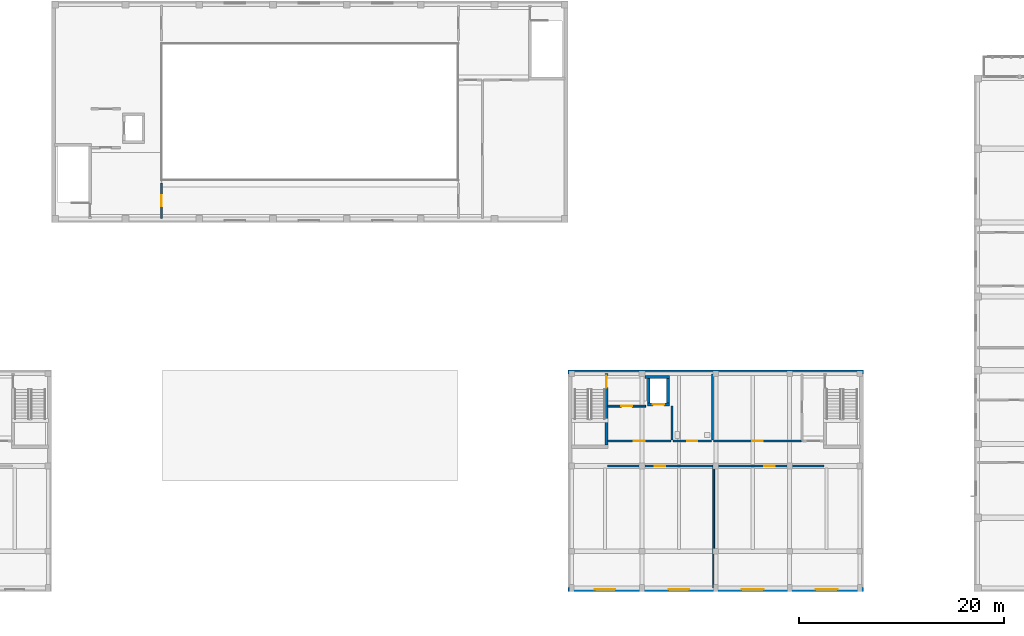
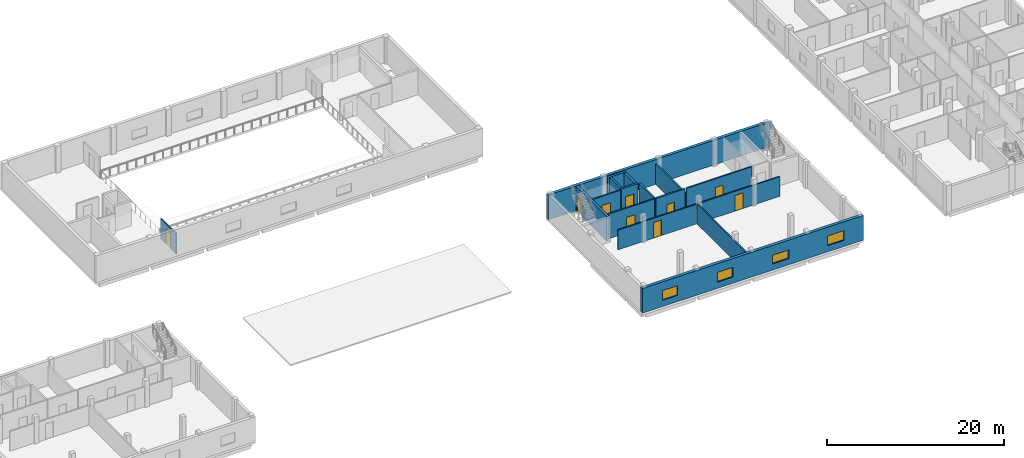
# One storey, part 39 of 73: 17 walls, 9 doors, 4 windows, 13 openings.
"""IFC4 building model written with IfcOpenShell, lengths in metres."""

from ifc_helpers import new_model, si_unit, derived_unit, direction, frame, frame_2d, origin, place, context, subcontext, project, spatial, rectangle, extrude, material, layer, layer_set, type_object, element, fill, save


model = new_model("IFC4")

# Units and contexts
model_context = context("Model", 3, precision=1e-05, world=origin(), true_north=direction((0.0, 1.0)))
body_context = subcontext(model_context, "Body", "Model", "MODEL_VIEW")
ifc_project = project(units=[si_unit("LENGTHUNIT", "METRE"), si_unit("AREAUNIT", "SQUARE_METRE"), si_unit("VOLUMEUNIT", "CUBIC_METRE"), si_unit("PLANEANGLEUNIT", "RADIAN"), si_unit("MASSUNIT", "GRAM", prefix="KILO"), derived_unit("THERMALTRANSMITTANCEUNIT", [(si_unit("MASSUNIT", "GRAM", prefix="KILO"), 1), (si_unit("TIMEUNIT", "SECOND"), -3), (si_unit("THERMODYNAMICTEMPERATUREUNIT", "KELVIN"), -1)])], contexts=[model_context])

# Site, building, storey
site_placement = place(None, origin())
site = spatial("IfcSite", under=ifc_project, at=site_placement, CompositionType="ELEMENT")
building_placement = place(site_placement, origin())
building = spatial("IfcBuilding", under=site, at=building_placement, Name="Ochrekiln Boulevard Commons", CompositionType="ELEMENT")
storey_placement = place(building_placement, frame((0.0, 0.0, 4.89990234375)))
storey = spatial("IfcBuildingStorey", under=building, at=storey_placement, Name="L01", CompositionType="ELEMENT", Elevation=4.89990234375)

# Wall, openings, windows
ifc_material_1 = material(Name="Desert ochre clinker brick masonry ASTM C216 Grade SW", Category="masonry")
ifc_layer_1 = layer(ifc_material_1, 0.3798828125)
ifc_layer_set_1 = layer_set([ifc_layer_1], Name="Desert ochre clinker brick masonry ASTM C216 Grade SW")
wall_type_1 = type_object("IfcWallType", Name="WL-EXT-ARC-380", PredefinedType="SOLIDWALL", material=ifc_layer_set_1)
wall_1_placement = place(storey_placement, frame((108.0, 0.18994140625, 0.0), z_axis=(0.0, 0.0, 1.0), x_axis=(1.0, 0.0, 0.0)))
wall_1 = element("IfcWall", 1, at=wall_1_placement, inside=storey, type_object=wall_type_1, Name="East Boulevard Arcade L01 S Exterior Wall", PredefinedType="SOLIDWALL", context=body_context, shape_type="SweptSolid", body=[
    extrude(rectangle(XDim=28.800048828125, YDim=0.3798828125, at=frame_2d((14.39990234375, 0.0))), origin(), (0.0, 0.0, 1.0), 3.400146484375),
])
opening_1_placement = place(wall_1_placement, frame((2.60009765625, 0.0, 0.85009765625)))
opening_1 = element("IfcOpeningElement", 2, at=opening_1_placement, cuts=wall_1, Name="Opening W-47", PredefinedType="OPENING", context=body_context, shape_type="SweptSolid", body=[
    extrude(rectangle(XDim=2.0, YDim=1.35009765625, at=frame_2d((1.0, 0.675048828125))), frame((0.0, 0.199951171875, 0.0), z_axis=(0.0, -1.0, 0.0), x_axis=(1.0, 0.0, 0.0)), (0.0, 0.0, 1.0), 0.39990234375),
])
opening_2_placement = place(wall_1_placement, frame((9.800048828125, 0.0, 0.85009765625)))
opening_2 = element("IfcOpeningElement", 3, at=opening_2_placement, cuts=wall_1, Name="Opening W-47", PredefinedType="OPENING", context=body_context, shape_type="SweptSolid", body=[
    extrude(rectangle(XDim=2.0, YDim=1.35009765625, at=frame_2d((1.0, 0.675048828125))), frame((0.0, 0.199951171875, 0.0), z_axis=(0.0, -1.0, 0.0), x_axis=(1.0, 0.0, 0.0)), (0.0, 0.0, 1.0), 0.39990234375),
])
opening_3_placement = place(wall_1_placement, frame((16.925048828125, 0.0, 0.85009765625)))
opening_3 = element("IfcOpeningElement", 4, at=opening_3_placement, cuts=wall_1, Name="Opening W-51", PredefinedType="OPENING", context=body_context, shape_type="SweptSolid", body=[
    extrude(rectangle(XDim=2.14990234375, YDim=1.199951171875, at=frame_2d((1.074951171875, 0.60009765625))), frame((0.0, 0.199951171875, 0.0), z_axis=(0.0, -1.0, 0.0), x_axis=(1.0, 0.0, 0.0)), (0.0, 0.0, 1.0), 0.39990234375),
])
opening_4_placement = place(wall_1_placement, frame((24.125, 0.0, 0.85009765625)))
opening_4 = element("IfcOpeningElement", 5, at=opening_4_placement, cuts=wall_1, Name="Opening W-52", PredefinedType="OPENING", context=body_context, shape_type="SweptSolid", body=[
    extrude(rectangle(XDim=2.14990234375, YDim=1.35009765625, at=frame_2d((1.074951171875, 0.675048828125))), frame((0.0, 0.199951171875, 0.0), z_axis=(0.0, -1.0, 0.0), x_axis=(1.0, 0.0, 0.0)), (0.0, 0.0, 1.0), 0.39990234375),
])
ifc_material_2 = material(Name="Thermally broken aluminium-clad oak frame", Category="aluminium")
window_type_1 = type_object("IfcWindowType", Name="WIN-EXT-47", PartitioningType="DOUBLE_PANEL_VERTICAL", PredefinedType="WINDOW", material=ifc_material_2)
window_1_placement = place(opening_1_placement, origin())
window_1 = element("IfcWindow", 6, at=window_1_placement, inside=storey, type_object=window_type_1, Name="East Boulevard Arcade L01 Boulevard Ribbon Window 1", OverallHeight=1.35009765625, OverallWidth=2.0, PartitioningType="DOUBLE_PANEL_VERTICAL", PredefinedType="WINDOW", context=body_context, shape_type="SweptSolid", body=[
    extrude(rectangle(XDim=2.0, YDim=1.35009765625, at=frame_2d((1.0, 0.675048828125))), frame((0.0, 0.030029296875, 0.0), z_axis=(0.0, -1.0, 0.0), x_axis=(1.0, 0.0, 0.0)), (0.0, 0.0, 1.0), 0.06005859375),
])
fill(opening_1, window_1)
window_2_placement = place(opening_2_placement, origin())
window_2 = element("IfcWindow", 7, at=window_2_placement, inside=storey, type_object=window_type_1, Name="East Boulevard Arcade L01 Boulevard Ribbon Window 2", OverallHeight=1.35009765625, OverallWidth=2.0, PartitioningType="DOUBLE_PANEL_VERTICAL", PredefinedType="WINDOW", context=body_context, shape_type="SweptSolid", body=[
    extrude(rectangle(XDim=2.0, YDim=1.35009765625, at=frame_2d((1.0, 0.675048828125))), frame((0.0, 0.030029296875, 0.0), z_axis=(0.0, -1.0, 0.0), x_axis=(1.0, 0.0, 0.0)), (0.0, 0.0, 1.0), 0.06005859375),
])
fill(opening_2, window_2)
window_type_2 = type_object("IfcWindowType", Name="WIN-EXT-51", PartitioningType="DOUBLE_PANEL_VERTICAL", PredefinedType="WINDOW", material=ifc_material_2)
window_3_placement = place(opening_3_placement, origin())
window_3 = element("IfcWindow", 8, at=window_3_placement, inside=storey, type_object=window_type_2, Name="East Boulevard Arcade L01 Boulevard Ribbon Window 3", OverallHeight=1.199951171875, OverallWidth=2.14990234375, PartitioningType="DOUBLE_PANEL_VERTICAL", PredefinedType="WINDOW", context=body_context, shape_type="SweptSolid", body=[
    extrude(rectangle(XDim=2.14990234375, YDim=1.199951171875, at=frame_2d((1.074951171875, 0.60009765625))), frame((0.0, 0.030029296875, 0.0), z_axis=(0.0, -1.0, 0.0), x_axis=(1.0, 0.0, 0.0)), (0.0, 0.0, 1.0), 0.06005859375),
])
fill(opening_3, window_3)
window_type_3 = type_object("IfcWindowType", Name="WIN-EXT-52", PartitioningType="DOUBLE_PANEL_VERTICAL", PredefinedType="WINDOW", material=ifc_material_2)
window_4_placement = place(opening_4_placement, origin())
window_4 = element("IfcWindow", 9, at=window_4_placement, inside=storey, type_object=window_type_3, Name="East Boulevard Arcade L01 Boulevard Ribbon Window 4", OverallHeight=1.35009765625, OverallWidth=2.14990234375, PartitioningType="DOUBLE_PANEL_VERTICAL", PredefinedType="WINDOW", context=body_context, shape_type="SweptSolid", body=[
    extrude(rectangle(XDim=2.14990234375, YDim=1.35009765625, at=frame_2d((1.074951171875, 0.675048828125))), frame((0.0, 0.030029296875, 0.0), z_axis=(0.0, -1.0, 0.0), x_axis=(1.0, 0.0, 0.0)), (0.0, 0.0, 1.0), 0.06005859375),
])
fill(opening_4, window_4)

# Walls
wall_2_placement = place(storey_placement, frame((108.0, 21.409912109375, 0.0), z_axis=(0.0, 0.0, 1.0), x_axis=(1.0, 0.0, 0.0)))
element("IfcWall", 10, at=wall_2_placement, inside=storey, type_object=wall_type_1, Name="East Boulevard Arcade L01 N Exterior Wall", PredefinedType="SOLIDWALL", context=body_context, shape_type="SweptSolid", body=[
    extrude(rectangle(XDim=28.800048828125, YDim=0.3798828125, at=frame_2d((14.39990234375, 0.0))), origin(), (0.0, 0.0, 1.0), 3.400146484375),
])
ifc_material_3 = material(Name="Moisture-resistant cementitious tile backer wall")
ifc_layer_2 = layer(ifc_material_3, 0.199951171875)
ifc_layer_set_2 = layer_set([ifc_layer_2], Name="Moisture-resistant cementitious tile backer wall")
wall_type_2 = type_object("IfcWallType", Name="WL-PLM-200", PredefinedType="PLUMBINGWALL", material=ifc_layer_set_2)
wall_3_placement = place(storey_placement, frame((118.110107421875, 14.780029296875, 0.0), z_axis=(0.0, 0.0, 1.0), x_axis=(0.0, 1.0, 0.0)))
element("IfcWall", 11, at=wall_3_placement, inside=storey, type_object=wall_type_2, Name="L01 Interior Wall W-PW200", PredefinedType="PLUMBINGWALL", context=body_context, shape_type="SweptSolid", body=[
    extrude(rectangle(XDim=3.344970703125, YDim=0.199951171875, at=frame_2d((1.67236328125, 0.0))), origin(), (0.0, 0.0, 1.0), 3.39013671875),
])
wall_4_placement = place(storey_placement, frame((122.090087890625, 14.77197265625, 0.0), z_axis=(0.0, 0.0, 1.0), x_axis=(0.0, 1.0, 0.0)))
element("IfcWall", 12, at=wall_4_placement, inside=storey, type_object=wall_type_2, Name="L01 Interior Wall W-PW200", PredefinedType="PLUMBINGWALL", context=body_context, shape_type="SweptSolid", body=[
    extrude(rectangle(XDim=6.447998046875, YDim=0.199951171875, at=frame_2d((3.22412109375, 0.0))), origin(), (0.0, 0.0, 1.0), 2.77001953125),
])

# Wall, opening, door
ifc_layer_3 = layer(ifc_material_3, 0.219970703125)
ifc_layer_set_3 = layer_set([ifc_layer_3], Name="Moisture-resistant cementitious tile backer wall")
wall_type_3 = type_object("IfcWallType", Name="WL-PLM-220", PredefinedType="PLUMBINGWALL", material=ifc_layer_set_3)
wall_5_placement = place(storey_placement, frame((118.199951171875, 14.68994140625, 0.0), z_axis=(0.0, 0.0, 1.0), x_axis=(1.0, 0.0, 0.0)))
wall_5 = element("IfcWall", 13, at=wall_5_placement, inside=storey, type_object=wall_type_3, Name="L01 Interior Wall W-PW220", PredefinedType="PLUMBINGWALL", context=body_context, shape_type="SweptSolid", body=[
    extrude(rectangle(XDim=3.800048828125, YDim=0.219970703125, at=frame_2d((1.89990234375, 0.0))), origin(), (0.0, 0.0, 1.0), 3.39013671875),
])
opening_5_placement = place(wall_5_placement, frame((1.419921875, 0.0, 0.0)))
opening_5 = element("IfcOpeningElement", 14, at=opening_5_placement, cuts=wall_5, Name="Opening D-L01-304", PredefinedType="OPENING", context=body_context, shape_type="SweptSolid", body=[
    extrude(rectangle(XDim=0.9599609375, YDim=2.050048828125, at=frame_2d((0.47998046875, 1.02490234375))), frame((0.0, 0.119873046875, 0.0), z_axis=(0.0, -1.0, 0.0), x_axis=(1.0, 0.0, 0.0)), (0.0, 0.0, 1.0), 0.239990234375),
])
ifc_material_4 = material(Name="Solid core architectural oak door leaf")
door_type_1 = type_object("IfcDoorType", Name="DR-INT-ADA-096", OperationType="NOTDEFINED", PredefinedType="DOOR", material=ifc_material_4)
door_1_placement = place(opening_5_placement, origin())
door_1 = element("IfcDoor", 15, at=door_1_placement, inside=storey, type_object=door_type_1, Name="L01 Interior Door to Studio Accessible Washroom and WC", OperationType="SINGLE_SWING_RIGHT", OverallHeight=2.050048828125, OverallWidth=0.9599609375, PredefinedType="DOOR", context=body_context, shape_type="SweptSolid", body=[
    extrude(rectangle(XDim=0.9599609375, YDim=2.050048828125, at=frame_2d((0.47998046875, 1.02490234375))), frame((0.0, 0.02490234375, 0.0), z_axis=(0.0, -1.0, 0.0), x_axis=(1.0, 0.0, 0.0)), (0.0, 0.0, 1.0), 0.050048828125),
])
fill(opening_5, door_1)

# Wall
ifc_material_5 = material(Name="Fire-rated Type X gypsum board on steel studs", Category="steel")
ifc_layer_4 = layer(ifc_material_5, 0.169921875)
ifc_layer_set_4 = layer_set([ifc_layer_4], Name="Fire-rated Type X gypsum board on steel studs")
wall_type_4 = type_object("IfcWallType", Name="WL-PT-CIV-170", PredefinedType="PARTITIONING", material=ifc_layer_set_4)
wall_6_placement = place(storey_placement, frame((122.199951171875, 0.3798828125, 0.0), z_axis=(0.0, 0.0, 1.0), x_axis=(0.0, 1.0, 0.0)))
element("IfcWall", 16, at=wall_6_placement, inside=storey, type_object=wall_type_4, Name="L01 Interior Wall W-PV170", PredefinedType="PARTITIONING", context=body_context, shape_type="SweptSolid", body=[
    extrude(rectangle(XDim=11.7880859375, YDim=0.169921875, at=frame_2d((5.89404296875, 0.0))), origin(), (0.0, 0.0, 1.0), 2.77001953125),
])

# Wall, opening, door
ifc_layer_5 = layer(ifc_material_5, 0.1650390625)
ifc_layer_set_5 = layer_set([ifc_layer_5], Name="Fire-rated Type X gypsum board on steel studs")
wall_type_5 = type_object("IfcWallType", Name="WL-PT-CORR-165", PredefinedType="PARTITIONING", material=ifc_layer_set_5)
wall_7_placement = place(storey_placement, frame((68.31005859375, 36.39990234375, 0.0), z_axis=(0.0, 0.0, 1.0), x_axis=(0.0, 1.0, 0.0)))
wall_7 = element("IfcWall", 17, at=wall_7_placement, inside=storey, type_object=wall_type_5, Name="L01 Interior Wall W-PC165", PredefinedType="PARTITIONING", context=body_context, shape_type="SweptSolid", body=[
    extrude(rectangle(XDim=3.4501953125, YDim=0.1650390625, at=frame_2d((1.72509765625, 0.0))), origin(), (0.0, 0.0, 1.0), 2.840087890625),
])
opening_6_placement = place(wall_7_placement, frame((1.175048828125, 0.0, 0.0)))
opening_6 = element("IfcOpeningElement", 18, at=opening_6_placement, cuts=wall_7, Name="Opening D-L01-272", PredefinedType="OPENING", context=body_context, shape_type="SweptSolid", body=[
    extrude(rectangle(XDim=1.10009765625, YDim=2.1201171875, at=frame_2d((0.550048828125, 1.06005859375))), frame((0.0, 0.092529296875, 0.0), z_axis=(0.0, -1.0, 0.0), x_axis=(1.0, 0.0, 0.0)), (0.0, 0.0, 1.0), 0.18505859375),
])
ifc_material_6 = material(Name="Hollow metal fire-rated steel door assembly", Category="steel")
door_type_2 = type_object("IfcDoorType", Name="DR-LOBBY-60", OperationType="NOTDEFINED", PredefinedType="DOOR", material=ifc_material_6)
door_2_placement = place(opening_6_placement, frame((1.10009765625, 0.0, 0.0), z_axis=(0.0, 0.0, 1.0), x_axis=(-1.0, 0.0, 0.0)))
door_2 = element("IfcDoor", 19, at=door_2_placement, inside=storey, type_object=door_type_2, Name="L01 Interior Door to South Mezzanine Gallery Corridor", OperationType="SINGLE_SWING_RIGHT", OverallHeight=2.1201171875, OverallWidth=1.10009765625, PredefinedType="DOOR", context=body_context, shape_type="SweptSolid", body=[
    extrude(rectangle(XDim=1.10009765625, YDim=2.1201171875, at=frame_2d((0.550048828125, 1.06005859375))), frame((0.0, 0.02490234375, 0.0), z_axis=(0.0, -1.0, 0.0), x_axis=(1.0, 0.0, 0.0)), (0.0, 0.0, 1.0), 0.050048828125),
])
fill(opening_6, door_2)

wall_8_placement = place(storey_placement, frame((111.85009765625, 12.25, 0.0), z_axis=(0.0, 0.0, 1.0), x_axis=(1.0, 0.0, 0.0)))
wall_8 = element("IfcWall", 20, at=wall_8_placement, inside=storey, type_object=wall_type_5, Name="L01 Interior Wall W-PC165", PredefinedType="PARTITIONING", context=body_context, shape_type="SweptSolid", body=[
    extrude(rectangle(XDim=10.25, YDim=0.1650390625, at=frame_2d((5.125, 0.0))), origin(), (0.0, 0.0, 1.0), 2.72021484375),
])
opening_7_placement = place(wall_8_placement, frame((4.614990234375, 0.0, 0.0)))
opening_7 = element("IfcOpeningElement", 21, at=opening_7_placement, cuts=wall_8, Name="Opening D-L01-302", PredefinedType="OPENING", context=body_context, shape_type="SweptSolid", body=[
    extrude(rectangle(XDim=1.02001953125, YDim=2.159912109375, at=frame_2d((0.510009765625, 1.080078125))), frame((0.0, 0.092529296875, 0.0), z_axis=(0.0, -1.0, 0.0), x_axis=(1.0, 0.0, 0.0)), (0.0, 0.0, 1.0), 0.18505859375),
])
door_type_3 = type_object("IfcDoorType", Name="DR-INT-CIV-102", OperationType="NOTDEFINED", PredefinedType="DOOR", material=ifc_material_4)
door_3_placement = place(opening_7_placement, frame((1.02001953125, 0.0, 0.0), z_axis=(0.0, 0.0, 1.0), x_axis=(-1.0, 0.0, 0.0)))
door_3 = element("IfcDoor", 22, at=door_3_placement, inside=storey, type_object=door_type_3, Name="L01 Interior Door to Live-Work Craft Atelier 1", OperationType="SINGLE_SWING_RIGHT", OverallHeight=2.159912109375, OverallWidth=1.02001953125, PredefinedType="DOOR", context=body_context, shape_type="SweptSolid", body=[
    extrude(rectangle(XDim=1.02001953125, YDim=2.159912109375, at=frame_2d((0.510009765625, 1.080078125))), frame((0.0, 0.02490234375, 0.0), z_axis=(0.0, -1.0, 0.0), x_axis=(1.0, 0.0, 0.0)), (0.0, 0.0, 1.0), 0.050048828125),
])
fill(opening_7, door_3)

wall_9_placement = place(storey_placement, frame((122.300048828125, 12.25, 0.0), z_axis=(0.0, 0.0, 1.0), x_axis=(1.0, 0.0, 0.0)))
wall_9 = element("IfcWall", 23, at=wall_9_placement, inside=storey, type_object=wall_type_5, Name="L01 Interior Wall W-PC165", PredefinedType="PARTITIONING", context=body_context, shape_type="SweptSolid", body=[
    extrude(rectangle(XDim=10.64990234375, YDim=0.1650390625, at=frame_2d((5.324951171875, 0.0))), origin(), (0.0, 0.0, 1.0), 2.72021484375),
])
opening_8_placement = place(wall_9_placement, frame((4.81494140625, 0.0, 0.0)))
opening_8 = element("IfcOpeningElement", 24, at=opening_8_placement, cuts=wall_9, Name="Opening D-L01-303", PredefinedType="OPENING", context=body_context, shape_type="SweptSolid", body=[
    extrude(rectangle(XDim=1.02001953125, YDim=2.159912109375, at=frame_2d((0.510009765625, 1.080078125))), frame((0.0, 0.092529296875, 0.0), z_axis=(0.0, -1.0, 0.0), x_axis=(1.0, 0.0, 0.0)), (0.0, 0.0, 1.0), 0.18505859375),
])
door_4_placement = place(opening_8_placement, frame((1.02001953125, 0.0, 0.0), z_axis=(0.0, 0.0, 1.0), x_axis=(-1.0, 0.0, 0.0)))
door_4 = element("IfcDoor", 25, at=door_4_placement, inside=storey, type_object=door_type_3, Name="L01 Interior Door to Live-Work Craft Atelier 2", OperationType="SINGLE_SWING_LEFT", OverallHeight=2.159912109375, OverallWidth=1.02001953125, PredefinedType="DOOR", context=body_context, shape_type="SweptSolid", body=[
    extrude(rectangle(XDim=1.02001953125, YDim=2.159912109375, at=frame_2d((0.510009765625, 1.080078125))), frame((0.0, 0.02490234375, 0.0), z_axis=(0.0, -1.0, 0.0), x_axis=(1.0, 0.0, 0.0)), (0.0, 0.0, 1.0), 0.050048828125),
])
fill(opening_8, door_4)

wall_10_placement = place(storey_placement, frame((122.179931640625, 14.68994140625, 0.0), z_axis=(0.0, 0.0, 1.0), x_axis=(1.0, 0.0, 0.0)))
wall_10 = element("IfcWall", 26, at=wall_10_placement, inside=storey, type_object=wall_type_5, Name="L01 Interior Wall W-PC165", PredefinedType="PARTITIONING", context=body_context, shape_type="SweptSolid", body=[
    extrude(rectangle(XDim=8.5400390625, YDim=0.1650390625, at=frame_2d((4.27001953125, 0.0))), origin(), (0.0, 0.0, 1.0), 3.39013671875),
])
opening_9_placement = place(wall_10_placement, frame((3.760009765625, 0.0, 0.0)))
opening_9 = element("IfcOpeningElement", 27, at=opening_9_placement, cuts=wall_10, Name="Opening D-L01-305", PredefinedType="OPENING", context=body_context, shape_type="SweptSolid", body=[
    extrude(rectangle(XDim=1.02001953125, YDim=2.159912109375, at=frame_2d((0.510009765625, 1.080078125))), frame((0.0, 0.092529296875, 0.0), z_axis=(0.0, -1.0, 0.0), x_axis=(1.0, 0.0, 0.0)), (0.0, 0.0, 1.0), 0.18505859375),
])
door_5_placement = place(opening_9_placement, origin())
door_5 = element("IfcDoor", 28, at=door_5_placement, inside=storey, type_object=door_type_3, Name="L01 Interior Door to Community Craft Room", OperationType="SINGLE_SWING_LEFT", OverallHeight=2.159912109375, OverallWidth=1.02001953125, PredefinedType="DOOR", context=body_context, shape_type="SweptSolid", body=[
    extrude(rectangle(XDim=1.02001953125, YDim=2.159912109375, at=frame_2d((0.510009765625, 1.080078125))), frame((0.0, 0.02490234375, 0.0), z_axis=(0.0, -1.0, 0.0), x_axis=(1.0, 0.0, 0.0)), (0.0, 0.0, 1.0), 0.050048828125),
])
fill(opening_9, door_5)

ifc_layer_6 = layer(ifc_material_5, 0.18994140625)
ifc_layer_set_6 = layer_set([ifc_layer_6], Name="Fire-rated Type X gypsum board on steel studs")
wall_type_6 = type_object("IfcWallType", Name="WL-PT-LBY-190", PredefinedType="PARTITIONING", material=ifc_layer_set_6)
wall_11_placement = place(storey_placement, frame((111.85009765625, 18.090087890625, 0.0), z_axis=(0.0, 0.0, 1.0), x_axis=(1.0, 0.0, 0.0)))
wall_11 = element("IfcWall", 29, at=wall_11_placement, inside=storey, type_object=wall_type_6, Name="L01 Interior Wall W-PL190", PredefinedType="PARTITIONING", context=body_context, shape_type="SweptSolid", body=[
    extrude(rectangle(XDim=3.699951171875, YDim=0.18994140625, at=frame_2d((1.85009765625, 0.0))), origin(), (0.0, 0.0, 1.0), 3.39013671875),
])
opening_10_placement = place(wall_11_placement, frame((1.300048828125, 0.0, 0.0)))
opening_10 = element("IfcOpeningElement", 30, at=opening_10_placement, cuts=wall_11, Name="Opening D-L01-299", PredefinedType="OPENING", context=body_context, shape_type="SweptSolid", body=[
    extrude(rectangle(XDim=1.10009765625, YDim=2.1201171875, at=frame_2d((0.550048828125, 1.06005859375))), frame((0.0, 0.10498046875, 0.0), z_axis=(0.0, -1.0, 0.0), x_axis=(1.0, 0.0, 0.0)), (0.0, 0.0, 1.0), 0.2099609375),
])
door_6_placement = place(opening_10_placement, frame((1.10009765625, 0.0, 0.0), z_axis=(0.0, 0.0, 1.0), x_axis=(-1.0, 0.0, 0.0)))
door_6 = element("IfcDoor", 31, at=door_6_placement, inside=storey, type_object=door_type_2, Name="L01 Interior Door to Passenger Elevator Lobby", OperationType="SINGLE_SWING_LEFT", OverallHeight=2.1201171875, OverallWidth=1.10009765625, PredefinedType="DOOR", context=body_context, shape_type="SweptSolid", body=[
    extrude(rectangle(XDim=1.10009765625, YDim=2.1201171875, at=frame_2d((0.550048828125, 1.06005859375))), frame((0.0, 0.02490234375, 0.0), z_axis=(0.0, -1.0, 0.0), x_axis=(1.0, 0.0, 0.0)), (0.0, 0.0, 1.0), 0.050048828125),
])
fill(opening_10, door_6)

wall_12_placement = place(storey_placement, frame((111.85009765625, 14.68994140625, 0.0), z_axis=(0.0, 0.0, 1.0), x_axis=(1.0, 0.0, 0.0)))
wall_12 = element("IfcWall", 32, at=wall_12_placement, inside=storey, type_object=wall_type_6, Name="L01 Interior Wall W-PL190", PredefinedType="PARTITIONING", context=body_context, shape_type="SweptSolid", body=[
    extrude(rectangle(XDim=6.169921875, YDim=0.18994140625, at=frame_2d((3.0849609375, 0.0))), origin(), (0.0, 0.0, 1.0), 3.39013671875),
])
opening_11_placement = place(wall_12_placement, frame((2.534912109375, 0.0, 0.0)))
opening_11 = element("IfcOpeningElement", 33, at=opening_11_placement, cuts=wall_12, Name="Opening D-L01-300", PredefinedType="OPENING", context=body_context, shape_type="SweptSolid", body=[
    extrude(rectangle(XDim=1.10009765625, YDim=2.1201171875, at=frame_2d((0.550048828125, 1.06005859375))), frame((0.0, 0.10498046875, 0.0), z_axis=(0.0, -1.0, 0.0), x_axis=(1.0, 0.0, 0.0)), (0.0, 0.0, 1.0), 0.2099609375),
])
door_7_placement = place(opening_11_placement, origin())
door_7 = element("IfcDoor", 34, at=door_7_placement, inside=storey, type_object=door_type_2, Name="L01 Interior Door to Passenger Elevator Lobby", OperationType="SINGLE_SWING_RIGHT", OverallHeight=2.1201171875, OverallWidth=1.10009765625, PredefinedType="DOOR", context=body_context, shape_type="SweptSolid", body=[
    extrude(rectangle(XDim=1.10009765625, YDim=2.1201171875, at=frame_2d((0.550048828125, 1.06005859375))), frame((0.0, 0.02490234375, 0.0), z_axis=(0.0, -1.0, 0.0), x_axis=(1.0, 0.0, 0.0)), (0.0, 0.0, 1.0), 0.050048828125),
])
fill(opening_11, door_7)

ifc_material_7 = material(Name="Concrete C40/50", Category="concrete")
ifc_layer_7 = layer(ifc_material_7, 0.27490234375)
ifc_layer_set_7 = layer_set([ifc_layer_7], Name="Concrete C40/50")
wall_type_7 = type_object("IfcWallType", Name="WL-SH-275", PredefinedType="SHEAR", material=ifc_layer_set_7)
wall_13_placement = place(storey_placement, frame((115.72509765625, 18.262451171875, 0.0), z_axis=(0.0, 0.0, 1.0), x_axis=(1.0, 0.0, 0.0)))
wall_13 = element("IfcWall", 35, at=wall_13_placement, inside=storey, type_object=wall_type_7, Name="Elevator LP-S2 L01 Hoistway Shear Wall", PredefinedType="SHEAR", context=body_context, shape_type="SweptSolid", body=[
    extrude(rectangle(XDim=2.14990234375, YDim=0.27490234375, at=frame_2d((1.074951171875, 0.0))), origin(), (0.0, 0.0, 1.0), 3.400146484375),
])
opening_12_placement = place(wall_13_placement, frame((0.52490234375, 0.0, 0.0)))
opening_12 = element("IfcOpeningElement", 36, at=opening_12_placement, cuts=wall_13, Name="Opening LD-LP-S2-L01", PredefinedType="OPENING", context=body_context, shape_type="SweptSolid", body=[
    extrude(rectangle(XDim=1.10009765625, YDim=2.14990234375, at=frame_2d((0.550048828125, 1.074951171875))), frame((0.0, 0.1474609375, 0.0), z_axis=(0.0, -1.0, 0.0), x_axis=(1.0, 0.0, 0.0)), (0.0, 0.0, 1.0), 0.294921875),
])
ifc_material_8 = material(Name="Brushed stainless steel 316 elevator cab and doors", Category="steel")
door_type_4 = type_object("IfcDoorType", Name="DR-LIFT-LD90", OperationType="SLIDING_TO_LEFT", PredefinedType="DOOR", material=ifc_material_8)
door_8_placement = place(opening_12_placement, origin())
door_8 = element("IfcDoor", 37, at=door_8_placement, inside=storey, type_object=door_type_4, Name="Elevator LP-S2 L01 Sliding Landing Door LD-LP-S2-L01", OperationType="SLIDING_TO_LEFT", OverallHeight=2.14990234375, OverallWidth=1.10009765625, PredefinedType="DOOR", context=body_context, shape_type="SweptSolid", body=[
    extrude(rectangle(XDim=1.10009765625, YDim=2.14990234375, at=frame_2d((0.550048828125, 1.074951171875))), frame((0.0, 0.02490234375, 0.0), z_axis=(0.0, -1.0, 0.0), x_axis=(1.0, 0.0, 0.0)), (0.0, 0.0, 1.0), 0.050048828125),
])
fill(opening_12, door_8)

# Walls
wall_14_placement = place(storey_placement, frame((115.47509765625, 20.9375, 0.0), z_axis=(0.0, 0.0, 1.0), x_axis=(1.0, 0.0, 0.0)))
element("IfcWall", 38, at=wall_14_placement, inside=storey, type_object=wall_type_7, Name="Elevator LP-S2 L01 Hoistway Shear Wall", PredefinedType="SHEAR", context=body_context, shape_type="SweptSolid", body=[
    extrude(rectangle(XDim=2.39990234375, YDim=0.27490234375, at=frame_2d((1.199951171875, 0.0))), origin(), (0.0, 0.0, 1.0), 3.400146484375),
])
for number, where, z_axis, x_axis, name in (
    (39, (115.862548828125, 18.39990234375, 0.0), (0.0, 0.0, 1.0), (0.0, 1.0, 0.0), "Elevator LP-S2 L01 Hoistway Shear Wall"),
    (40, (117.737548828125, 18.39990234375, 0.0), (0.0, 0.0, 1.0), (0.0, 1.0, 0.0), "Elevator LP-S2 L01 Hoistway Shear Wall"),
):
    element("IfcWall", number, at=place(storey_placement, frame(where, z_axis=z_axis, x_axis=x_axis)), inside=storey, type_object=wall_type_7, Name=name, PredefinedType="SHEAR", context=body_context, shape_type="SweptSolid", body=[
        extrude(rectangle(XDim=2.400146484375, YDim=0.27490234375, at=frame_2d((1.2001953125, 0.0))), origin(), (0.0, 0.0, 1.0), 3.400146484375),
    ])

# Wall, opening, door
ifc_layer_8 = layer(ifc_material_7, 0.300048828125)
ifc_layer_set_8 = layer_set([ifc_layer_8], Name="Concrete C40/50")
wall_type_8 = type_object("IfcWallType", Name="WL-SH-300", PredefinedType="SHEAR", material=ifc_layer_set_8)
wall_15_placement = place(storey_placement, frame((111.75, 14.280029296875, 0.0), z_axis=(0.0, 0.0, 1.0), x_axis=(0.0, 1.0, 0.0)))
wall_15 = element("IfcWall", 41, at=wall_15_placement, inside=storey, type_object=wall_type_8, Name="Stair ST-E1 L01 Core Shear Wall E", PredefinedType="SHEAR", context=body_context, shape_type="SweptSolid", body=[
    extrude(rectangle(XDim=7.0, YDim=0.300048828125, at=frame_2d((3.5, 0.0))), origin(), (0.0, 0.0, 1.0), 3.400146484375),
])
opening_13_placement = place(wall_15_placement, frame((5.625, 0.0, 0.0)))
opening_13 = element("IfcOpeningElement", 42, at=opening_13_placement, cuts=wall_15, Name="Opening D-L01-ST-E1", PredefinedType="OPENING", context=body_context, shape_type="SweptSolid", body=[
    extrude(rectangle(XDim=1.14990234375, YDim=2.1201171875, at=frame_2d((0.574951171875, 1.06005859375))), frame((0.0, 0.159912109375, 0.0), z_axis=(0.0, -1.0, 0.0), x_axis=(1.0, 0.0, 0.0)), (0.0, 0.0, 1.0), 0.320068359375),
])
door_type_5 = type_object("IfcDoorType", Name="DR-STAIR-90", OperationType="NOTDEFINED", PredefinedType="DOOR", material=ifc_material_6)
door_9_placement = place(opening_13_placement, origin())
door_9 = element("IfcDoor", 43, at=door_9_placement, inside=storey, type_object=door_type_5, Name="Enclosed Exit Stair ST-E1 L01 Rated Door", OperationType="SINGLE_SWING_RIGHT", OverallHeight=2.1201171875, OverallWidth=1.14990234375, PredefinedType="DOOR", context=body_context, shape_type="SweptSolid", body=[
    extrude(rectangle(XDim=1.14990234375, YDim=2.1201171875, at=frame_2d((0.574951171875, 1.06005859375))), frame((0.0, 0.02490234375, 0.0), z_axis=(0.0, -1.0, 0.0), x_axis=(1.0, 0.0, 0.0)), (0.0, 0.0, 1.0), 0.050048828125),
])
fill(opening_13, door_9)

save(model, "model.ifc")
